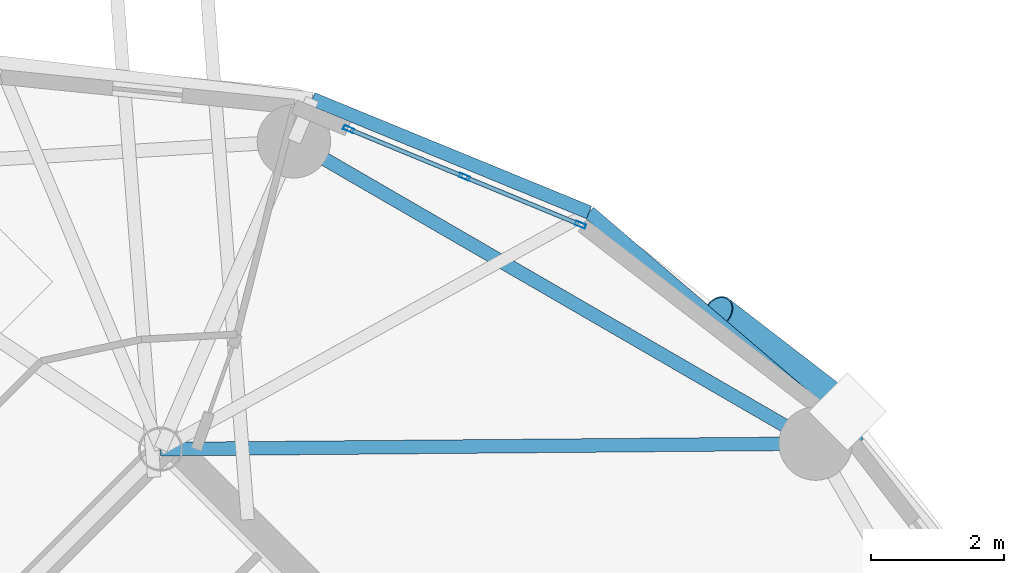
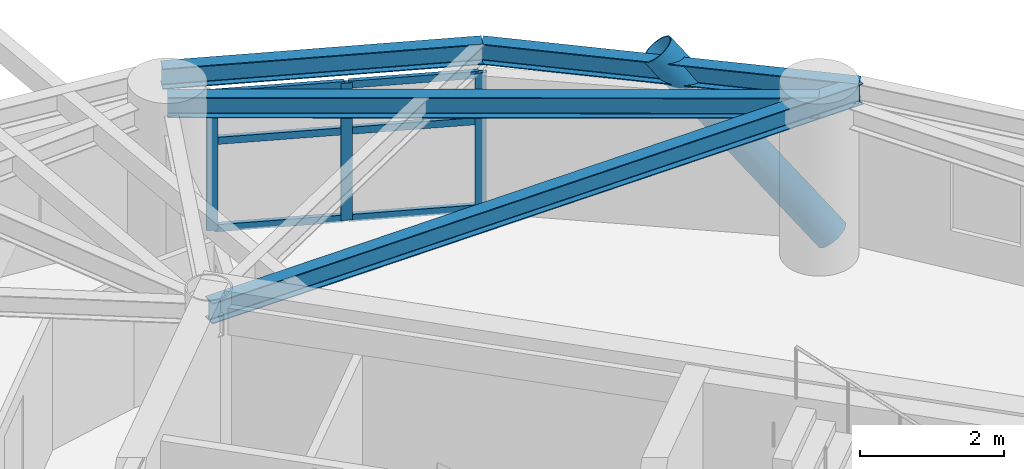
# One storey, part 5 of 14: 10 members, 4 beams, 1 element without a shape of its own.
"""IFC4 building model written with IfcOpenShell, lengths in metres."""

from ifc_helpers import new_model, si_unit, direction, frame, origin, origin_2d, place, context, subcontext, project, spatial, hollow_rectangle, hollow_circle, i_section, extrude, material, layer, layer_set, material_profile, profile_set, type_object, element, aggregate, save


model = new_model("IFC4")

# Units and contexts
model_context = context("Model", 3, precision=1e-05, world=origin(), true_north=direction((0.0, 1.0)))
body_context = subcontext(model_context, "Body", "Model", "MODEL_VIEW")
ifc_project = project(units=[si_unit("LENGTHUNIT", "METRE"), si_unit("AREAUNIT", "SQUARE_METRE"), si_unit("VOLUMEUNIT", "CUBIC_METRE"), si_unit("PLANEANGLEUNIT", "RADIAN"), si_unit("MASSUNIT", "GRAM", prefix="KILO")], contexts=[model_context])

# Site, building, storey
site_placement = place(None, origin())
site = spatial("IfcSite", under=ifc_project, at=site_placement, CompositionType="ELEMENT")
building_placement = place(site_placement, origin())
building = spatial("IfcBuilding", under=site, at=building_placement, Name="Cununo Teusaquillo Station Towers", CompositionType="ELEMENT")
storey_placement = place(building_placement, frame((0.0, 0.0, 202.47998046875)))
storey = spatial("IfcBuildingStorey", under=building, at=storey_placement, Name="L64", CompositionType="ELEMENT", Elevation=202.47998046875)

# Beams
ifc_material_1 = material(Name="Steel ASTM A572 Grade 50", Category="steel")
ifc_material_profile_1 = material_profile(ifc_material_1, i_section(OverallWidth=0.2041015625, OverallDepth=0.35009765625, WebThickness=0.008544921875, FlangeThickness=0.01513671875, FilletRadius=0.011962890625, at=origin_2d()), Name="W14X48")
ifc_profile_set_1 = profile_set([ifc_material_profile_1], Name="Steel ASTM A572 Grade 50")
beam_type_1 = type_object("IfcBeamType", Name="BM-RAD-G3", PredefinedType="BEAM", material=ifc_profile_set_1)
beam_1_placement = place(storey_placement, frame((56.29443359375, 33.024169921875, 2.52490234375), z_axis=(0.999964325253, 0.008446787673, 0.0), x_axis=(-0.008446787673, 0.999964325253, 0.0)))
element("IfcBeam", 1, at=beam_1_placement, inside=storey, type_object=beam_type_1, Name="L64 Tower B Continuous Overhanging Radial Girder 01", PredefinedType="BEAM", context=body_context, shape_type="SweptSolid", body=[
    extrude(i_section(OverallWidth=0.2041015625, OverallDepth=0.35009765625, WebThickness=0.008544921875, FlangeThickness=0.01513671875, FilletRadius=0.011962890625, at=origin_2d()), origin(), (0.0, 0.0, 1.0), 10.463134765625),
])
ifc_material_2 = material(Name="Steel ASTM A572 Grade 50", Category="steel")
ifc_material_profile_2 = material_profile(ifc_material_2, i_section(OverallWidth=0.2041015625, OverallDepth=0.35009765625, WebThickness=0.008544921875, FlangeThickness=0.01513671875, FilletRadius=0.011962890625, at=origin_2d()), Name="W14X48")
ifc_profile_set_2 = profile_set([ifc_material_profile_2], Name="Steel ASTM A572 Grade 50")
beam_type_2 = type_object("IfcBeamType", Name="BM-RING-Z4", PredefinedType="SPANDREL", material=ifc_profile_set_2)
beam_2_placement = place(storey_placement, frame((66.10693359375, 33.10693359375, 2.52490234375), z_axis=(-0.865267103202, 0.501311121078, 0.0), x_axis=(-0.501311121078, -0.865267103202, 0.0)))
element("IfcBeam", 2, at=beam_2_placement, inside=storey, type_object=beam_type_2, Name="L64 Tower B Structural Column Ring Girder 01", PredefinedType="SPANDREL", context=body_context, shape_type="SweptSolid", body=[
    extrude(i_section(OverallWidth=0.2041015625, OverallDepth=0.35009765625, WebThickness=0.008544921875, FlangeThickness=0.01513671875, FilletRadius=0.011962890625, at=origin_2d()), origin(), (0.0, 0.0, 1.0), 9.032958984375),
])
beam_3_placement = place(storey_placement, frame((66.757080078125, 33.112548828125, 2.52490234375), z_axis=(-0.760065778291, 0.649846145385, 0.0), x_axis=(-0.649846145385, -0.760065778291, 0.0)))
element("IfcBeam", 3, at=beam_3_placement, inside=storey, type_object=beam_type_2, Name="L64 Tower B Spandrel Ring Beam 01", PredefinedType="SPANDREL", context=body_context, shape_type="SweptSolid", body=[
    extrude(i_section(OverallWidth=0.2041015625, OverallDepth=0.35009765625, WebThickness=0.008544921875, FlangeThickness=0.01513671875, FilletRadius=0.011962890625, at=origin_2d()), origin(), (0.0, 0.0, 1.0), 5.320556640625),
])
beam_4_placement = place(storey_placement, frame((62.713134765625, 36.570068359375, 2.52490234375), z_axis=(-0.925283830437, 0.379275405388, 0.0), x_axis=(-0.379275405388, -0.925283830437, 0.0)))
element("IfcBeam", 4, at=beam_4_placement, inside=storey, type_object=beam_type_2, Name="L64 Tower B Spandrel Ring Beam 02", PredefinedType="SPANDREL", context=body_context, shape_type="SweptSolid", body=[
    extrude(i_section(OverallWidth=0.2041015625, OverallDepth=0.35009765625, WebThickness=0.008544921875, FlangeThickness=0.01513671875, FilletRadius=0.011962890625, at=origin_2d()), origin(), (0.0, 0.0, 1.0), 4.482177734375),
])

# Curtain wall, members
ifc_material_3 = material(Name="Ceramic-fritted dark low-E double glazing", Category="glass")
ifc_layer = layer(ifc_material_3, 0.179931640625)
ifc_layer_set = layer_set([ifc_layer], Name="Ceramic-fritted dark low-E double glazing")
curtain_wall_type = type_object("IfcCurtainWallType", Name="CW-SYS-07", PredefinedType="USERDEFINED", material=ifc_layer_set)
curtain_wall_placement = place(storey_placement, origin())
curtain_wall = element("IfcCurtainWall", 5, at=curtain_wall_placement, inside=storey, type_object=curtain_wall_type, Name="L64 Tower B Facade Curtain Wall C01", ObjectType="FRITTED GLAZING", PredefinedType="USERDEFINED")
ifc_material_4 = material(Name="Anodised dark bronze aluminium EN AW-6063-T6", Category="aluminium")
ifc_material_profile_3 = material_profile(ifc_material_4, hollow_rectangle(XDim=0.06494140625, YDim=0.159912109375, WallThickness=0.00390625, at=origin_2d()), Name="CW-MULL-65x160")
ifc_profile_set_3 = profile_set([ifc_material_profile_3], Name="Anodised dark bronze aluminium EN AW-6063-T6")
member_type_1 = type_object("IfcMemberType", Name="CWM-160", PredefinedType="MULLION", material=ifc_profile_set_3)
member_1_placement = place(storey_placement, frame((59.111328125, 37.818359375, 0.0), z_axis=(0.0, 0.0, 1.0), x_axis=(0.381310513086, 0.924447019904, 0.0)))
member_1 = element("IfcMember", 6, at=member_1_placement, type_object=member_type_1, Name="CW-07 mullion 1", PredefinedType="MULLION", context=body_context, shape_type="SweptSolid", body=[
    extrude(hollow_rectangle(XDim=0.06494140625, YDim=0.159912109375, WallThickness=0.00390625, at=origin_2d()), origin(), (0.0, 0.0, 1.0), 2.322021484375),
])
member_2_placement = place(storey_placement, frame((60.84716796875, 37.102294921875, 0.0), z_axis=(0.0, 0.0, 1.0), x_axis=(0.381310513086, 0.924447019904, 0.0)))
member_2 = element("IfcMember", 7, at=member_2_placement, type_object=member_type_1, Name="CW-07 mullion 2", PredefinedType="MULLION", context=body_context, shape_type="SweptSolid", body=[
    extrude(hollow_rectangle(XDim=0.06494140625, YDim=0.159912109375, WallThickness=0.00390625, at=origin_2d()), origin(), (0.0, 0.0, 1.0), 2.322021484375),
])
member_3_placement = place(storey_placement, frame((62.583251953125, 36.38623046875, 0.0), z_axis=(0.0, 0.0, 1.0), x_axis=(0.381310513086, 0.924447019904, 0.0)))
member_3 = element("IfcMember", 8, at=member_3_placement, type_object=member_type_1, Name="CW-07 mullion 3", PredefinedType="MULLION", context=body_context, shape_type="SweptSolid", body=[
    extrude(hollow_rectangle(XDim=0.06494140625, YDim=0.159912109375, WallThickness=0.00390625, at=origin_2d()), origin(), (0.0, 0.0, 1.0), 2.322021484375),
])
ifc_material_5 = material(Name="Anodised dark bronze aluminium EN AW-6063-T6", Category="aluminium")
ifc_material_profile_4 = material_profile(ifc_material_5, hollow_rectangle(XDim=0.06494140625, YDim=0.1201171875, WallThickness=0.00390625, at=origin_2d()), Name="CW-TRAN-65x120")
ifc_profile_set_4 = profile_set([ifc_material_profile_4], Name="Anodised dark bronze aluminium EN AW-6063-T6")
member_type_2 = type_object("IfcMemberType", Name="CWT-120", PredefinedType="USERDEFINED", material=ifc_profile_set_4)
member_4_placement = place(storey_placement, frame((59.141357421875, 37.805908203125, 0.032470703125), z_axis=(0.924457591038, -0.381284883483, 0.0), x_axis=(0.381284883483, 0.924457591038, 0.0)))
member_4 = element("IfcMember", 9, at=member_4_placement, type_object=member_type_2, Name="CW-07 transom 1.1", ObjectType="TRANSOM", PredefinedType="USERDEFINED", context=body_context, shape_type="SweptSolid", body=[
    extrude(hollow_rectangle(XDim=0.06494140625, YDim=0.1201171875, WallThickness=0.00390625, at=origin_2d()), origin(), (0.0, 0.0, 1.0), 1.812744140625),
])
member_5_placement = place(storey_placement, frame((59.141357421875, 37.805908203125, 1.509033203125), z_axis=(0.924457591038, -0.381284883483, 0.0), x_axis=(0.381284883483, 0.924457591038, 0.0)))
member_5 = element("IfcMember", 10, at=member_5_placement, type_object=member_type_2, Name="CW-07 transom 1.2", ObjectType="TRANSOM", PredefinedType="USERDEFINED", context=body_context, shape_type="SweptSolid", body=[
    extrude(hollow_rectangle(XDim=0.06494140625, YDim=0.1201171875, WallThickness=0.00390625, at=origin_2d()), origin(), (0.0, 0.0, 1.0), 1.812744140625),
])
member_6_placement = place(storey_placement, frame((59.141357421875, 37.805908203125, 2.28955078125), z_axis=(0.924457591038, -0.381284883483, 0.0), x_axis=(0.381284883483, 0.924457591038, 0.0)))
member_6 = element("IfcMember", 11, at=member_6_placement, type_object=member_type_2, Name="CW-07 transom 1.3", ObjectType="TRANSOM", PredefinedType="USERDEFINED", context=body_context, shape_type="SweptSolid", body=[
    extrude(hollow_rectangle(XDim=0.06494140625, YDim=0.1201171875, WallThickness=0.00390625, at=origin_2d()), origin(), (0.0, 0.0, 1.0), 1.812744140625),
])
member_7_placement = place(storey_placement, frame((60.877197265625, 37.08984375, 0.032470703125), z_axis=(0.92447716721, -0.381237415932, 0.0), x_axis=(0.381237415932, 0.92447716721, 0.0)))
member_7 = element("IfcMember", 12, at=member_7_placement, type_object=member_type_2, Name="CW-07 transom 2.1", ObjectType="TRANSOM", PredefinedType="USERDEFINED", context=body_context, shape_type="SweptSolid", body=[
    extrude(hollow_rectangle(XDim=0.06494140625, YDim=0.1201171875, WallThickness=0.00390625, at=origin_2d()), origin(), (0.0, 0.0, 1.0), 1.81298828125),
])
member_8_placement = place(storey_placement, frame((60.877197265625, 37.08984375, 1.509033203125), z_axis=(0.92447716721, -0.381237415932, 0.0), x_axis=(0.381237415932, 0.92447716721, 0.0)))
member_8 = element("IfcMember", 13, at=member_8_placement, type_object=member_type_2, Name="CW-07 transom 2.2", ObjectType="TRANSOM", PredefinedType="USERDEFINED", context=body_context, shape_type="SweptSolid", body=[
    extrude(hollow_rectangle(XDim=0.06494140625, YDim=0.1201171875, WallThickness=0.00390625, at=origin_2d()), origin(), (0.0, 0.0, 1.0), 1.81298828125),
])
member_9_placement = place(storey_placement, frame((60.877197265625, 37.08984375, 2.28955078125), z_axis=(0.92447716721, -0.381237415932, 0.0), x_axis=(0.381237415932, 0.92447716721, 0.0)))
member_9 = element("IfcMember", 14, at=member_9_placement, type_object=member_type_2, Name="CW-07 transom 2.3", ObjectType="TRANSOM", PredefinedType="USERDEFINED", context=body_context, shape_type="SweptSolid", body=[
    extrude(hollow_rectangle(XDim=0.06494140625, YDim=0.1201171875, WallThickness=0.00390625, at=origin_2d()), origin(), (0.0, 0.0, 1.0), 1.81298828125),
])
aggregate(curtain_wall, [member_1, member_2, member_3, member_4, member_5, member_6, member_7, member_8, member_9])

# Member
ifc_material_6 = material(Name="Steel EN 10025-2 S355J2", Category="steel")
ifc_material_profile_5 = material_profile(ifc_material_6, hollow_circle(Radius=0.25390625, WallThickness=0.01806640625, at=origin_2d()), Name="CHS 508x18")
ifc_profile_set_5 = profile_set([ifc_material_profile_5], Name="Steel EN 10025-2 S355J2")
member_type_3 = type_object("IfcMemberType", Name="MBR-DIAG-Z4", PredefinedType="BRACE", material=ifc_profile_set_5)
member_10_placement = place(storey_placement, frame((66.586181640625, 33.586181640625, -0.139892578125), z_axis=(-0.509547803244, 0.392567653256, 0.765670734602), x_axis=(-0.610304239587, -0.792167113141, 0.0)))
element("IfcMember", 15, at=member_10_placement, inside=storey, type_object=member_type_3, Name="L64 Tower B Folded-Zigzag Diagrid Tube C00", PredefinedType="BRACE", context=body_context, shape_type="SweptSolid", body=[
    extrude(hollow_circle(Radius=0.25390625, WallThickness=0.01806640625, at=origin_2d()), origin(), (0.0, 0.0, 1.0), 3.800537109375),
])

save(model, "model.ifc")
